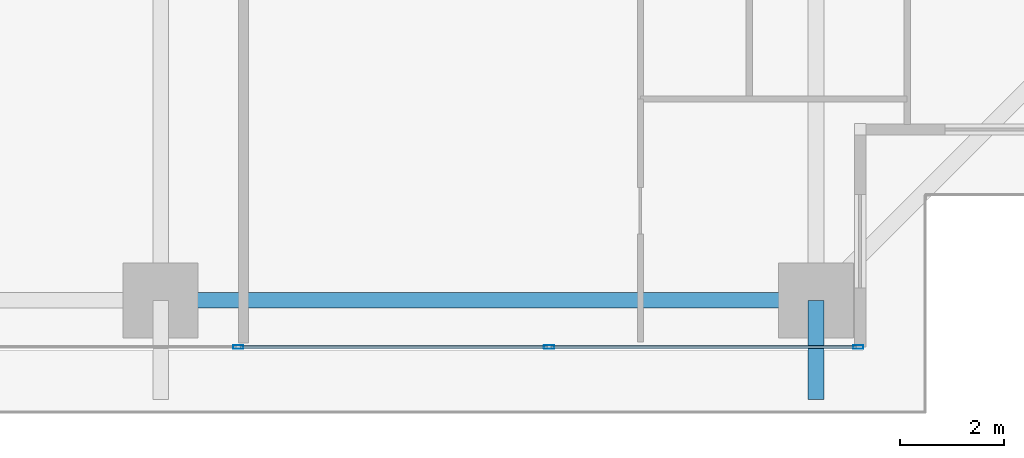
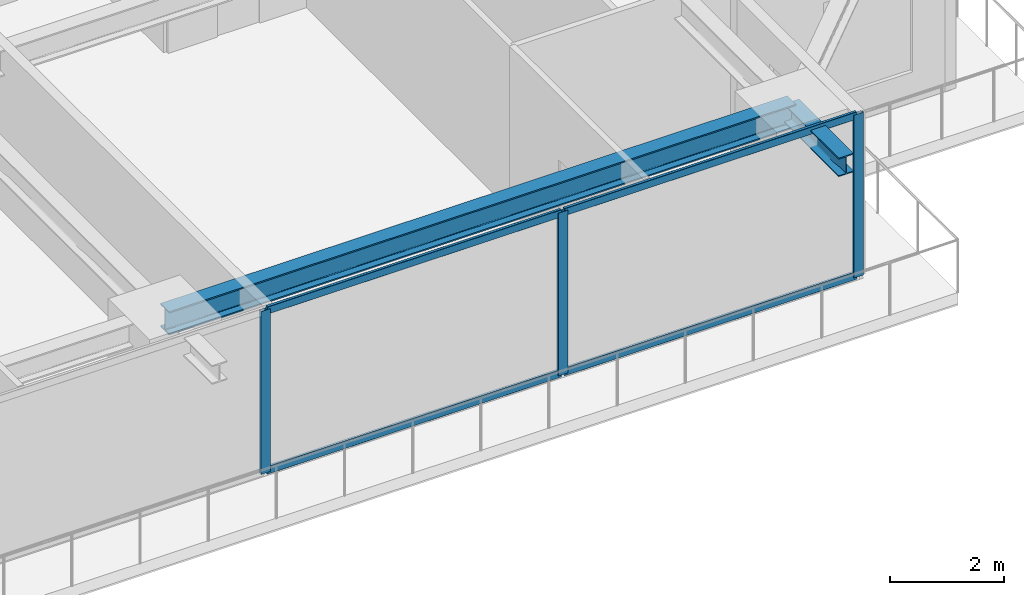
# One storey, part 10 of 38: 7 members, 2 beams, 1 element without a shape of its own.
"""IFC4 building model written with IfcOpenShell, lengths in metres."""

from ifc_helpers import new_model, si_unit, direction, frame, origin, origin_2d, place, context, subcontext, project, spatial, hollow_rectangle, i_section, extrude, source, transform, mapped, material, layer, layer_set, material_profile, profile_set, type_object, element, aggregate, save


model = new_model("IFC4")

# Units and contexts
model_context = context("Model", 3, precision=1e-05, world=origin(), true_north=direction((0.0, 1.0)))
body_context = subcontext(model_context, "Body", "Model", "MODEL_VIEW")
ifc_project = project(units=[si_unit("LENGTHUNIT", "METRE"), si_unit("AREAUNIT", "SQUARE_METRE"), si_unit("VOLUMEUNIT", "CUBIC_METRE"), si_unit("PLANEANGLEUNIT", "RADIAN"), si_unit("MASSUNIT", "GRAM", prefix="KILO")], contexts=[model_context])

# Site, building, storey
site_placement = place(None, origin())
site = spatial("IfcSite", under=ifc_project, at=site_placement, CompositionType="ELEMENT")
building_placement = place(site_placement, origin())
building = spatial("IfcBuilding", under=site, at=building_placement, Name="Serunith Strait Residences", CompositionType="ELEMENT")
storey_placement = place(building_placement, frame((0.0, 0.0, 37.949951171875)))
storey = spatial("IfcBuildingStorey", under=building, at=storey_placement, Name="L08", CompositionType="ELEMENT", Elevation=37.949951171875)

# Beams
ifc_material_1 = material(Name="Steel S355J2", Category="steel")
ifc_material_profile_1 = material_profile(ifc_material_1, i_section(OverallWidth=0.300048828125, OverallDepth=0.5, WebThickness=0.014404296875, FlangeThickness=0.028076171875, FilletRadius=0.027099609375, at=origin_2d()), Name="HEB 500")
ifc_profile_set_1 = profile_set([ifc_material_profile_1], Name="Steel S355J2")
beam_type_1 = type_object("IfcBeamType", Name="BM-HEB500", PredefinedType="BEAM", material=ifc_profile_set_1)
shared_shape_1 = source(origin(), body_context, "Body", "SweptSolid", [
    extrude(i_section(OverallWidth=0.300048828125, OverallDepth=0.5, WebThickness=0.014404296875, FlangeThickness=0.028076171875, FilletRadius=0.027099609375, at=origin_2d()), origin(), (0.0, 0.0, 1.0), 12.650146484375),
])
beam_1_placement = place(storey_placement, frame((36.89990234375, 1.10009765625, 3.237060546875), z_axis=(1.0, 0.0, 0.0), x_axis=(0.0, 1.0, 0.0)))
element("IfcBeam", 1, at=beam_1_placement, inside=storey, type_object=beam_type_1, Name="L08 Perimeter Ring Beam 03", PredefinedType="BEAM", context=body_context, shape_type="MappedRepresentation", body=[
    mapped(shared_shape_1, transform((0.0, 0.0, 0.0), scale=1.0)),
])
ifc_material_profile_2 = material_profile(ifc_material_1, i_section(OverallWidth=0.300048828125, OverallDepth=0.39990234375, WebThickness=0.013427734375, FlangeThickness=0.02392578125, FilletRadius=0.027099609375, at=origin_2d()), Name="HEB 400")
ifc_profile_set_2 = profile_set([ifc_material_profile_2], Name="Steel S355J2")
beam_type_2 = type_object("IfcBeamType", Name="BM-HEB400", PredefinedType="BEAM", material=ifc_profile_set_2)
shared_shape_2 = source(origin(), body_context, "Body", "SweptSolid", [
    extrude(i_section(OverallWidth=0.300048828125, OverallDepth=0.39990234375, WebThickness=0.013427734375, FlangeThickness=0.02392578125, FilletRadius=0.027099609375, at=origin_2d()), origin(), (0.0, 0.0, 1.0), 1.91015625),
])
beam_2_placement = place(storey_placement, frame((49.550048828125, 1.10009765625, 3.257080078125), z_axis=(0.0, -1.0, 0.0), x_axis=(1.0, 0.0, 0.0)))
element("IfcBeam", 2, at=beam_2_placement, inside=storey, type_object=beam_type_2, Name="L09 Cantilevered Balcony Rib TC-S4", PredefinedType="BEAM", context=body_context, shape_type="MappedRepresentation", body=[
    mapped(shared_shape_2, transform((0.0, 0.0, 0.0), scale=1.0)),
])

# Curtain wall, members
ifc_material_2 = material(Name="Pale-Champagne Anodised Aluminium", Category="aluminium")
ifc_layer = layer(ifc_material_2, 0.199951171875, Name="Pale-Champagne Anodised Aluminium")
ifc_layer_set = layer_set([ifc_layer], Name="Pale-Champagne Anodised Aluminium")
curtain_wall_type = type_object("IfcCurtainWallType", Name="CW-SYS1", PredefinedType="NOTDEFINED", material=ifc_layer_set)
curtain_wall_placement = place(storey_placement, origin())
curtain_wall = element("IfcCurtainWall", 3, at=curtain_wall_placement, inside=storey, type_object=curtain_wall_type, Name="L08 S Unitised Fritted Curtain Wall", PredefinedType="NOTDEFINED")
ifc_material_profile_3 = material_profile(ifc_material_2, hollow_rectangle(XDim=0.070068359375, YDim=0.199951171875, WallThickness=0.00390625, InnerFilletRadius=0.006103515625, OuterFilletRadius=0.010009765625, at=origin_2d()), Name="ALU 200x70x4")
ifc_profile_set_3 = profile_set([ifc_material_profile_3], Name="Pale-Champagne Anodised Aluminium")
member_type_1 = type_object("IfcMemberType", Name="CW-SYS1-MULL", PredefinedType="MULLION", material=ifc_profile_set_3)
shared_shape_3 = source(origin(), body_context, "Body", "SweptSolid", [
    extrude(hollow_rectangle(XDim=0.070068359375, YDim=0.199951171875, WallThickness=0.00390625, InnerFilletRadius=0.006103515625, OuterFilletRadius=0.010009765625, at=origin_2d()), origin(), (0.0, 0.0, 1.0), 3.47509765625),
])
member_1_placement = place(storey_placement, frame((38.39990234375, 0.199951171875, 0.0), z_axis=(0.0, 0.0, 1.0), x_axis=(0.0, 1.0, 0.0)))
member_1 = element("IfcMember", 4, at=member_1_placement, type_object=member_type_1, Name="CW-1 mullion 5", PredefinedType="MULLION", context=body_context, shape_type="MappedRepresentation", body=[
    mapped(shared_shape_3, transform((0.0, 0.0, 0.0), scale=1.0)),
])
member_2_placement = place(storey_placement, frame((44.39990234375, 0.199951171875, 0.0), z_axis=(0.0, 0.0, 1.0), x_axis=(0.0, 1.0, 0.0)))
member_2 = element("IfcMember", 5, at=member_2_placement, type_object=member_type_1, Name="CW-1 mullion 6", PredefinedType="MULLION", context=body_context, shape_type="MappedRepresentation", body=[
    mapped(shared_shape_3, transform((0.0, 0.0, 0.0), scale=1.0)),
])
member_3_placement = place(storey_placement, frame((50.364990234375, 0.199951171875, 0.0), z_axis=(0.0, 0.0, 1.0), x_axis=(0.0, 1.0, 0.0)))
member_3 = element("IfcMember", 6, at=member_3_placement, type_object=member_type_1, Name="CW-1 mullion 7", PredefinedType="MULLION", context=body_context, shape_type="MappedRepresentation", body=[
    mapped(shared_shape_3, transform((0.0, 0.0, 0.0), scale=1.0)),
])
ifc_material_profile_4 = material_profile(ifc_material_2, hollow_rectangle(XDim=0.06005859375, YDim=0.159912109375, WallThickness=0.00341796875, InnerFilletRadius=0.00537109375, OuterFilletRadius=0.0087890625, at=origin_2d()), Name="ALU 160x60x3.5")
ifc_profile_set_4 = profile_set([ifc_material_profile_4], Name="Pale-Champagne Anodised Aluminium")
member_type_2 = type_object("IfcMemberType", Name="CW-SYS1-TRAN", PredefinedType="USERDEFINED", material=ifc_profile_set_4)
shared_shape_4 = source(origin(), body_context, "Body", "SweptSolid", [
    extrude(hollow_rectangle(XDim=0.06005859375, YDim=0.159912109375, WallThickness=0.00341796875, InnerFilletRadius=0.00537109375, OuterFilletRadius=0.0087890625, at=origin_2d()), origin(), (0.0, 0.0, 1.0), 5.89501953125),
])
member_4_placement = place(storey_placement, frame((44.43505859375, 0.199951171875, 0.030029296875), z_axis=(1.0, 0.0, 0.0), x_axis=(0.0, 1.0, 0.0)))
member_4 = element("IfcMember", 7, at=member_4_placement, type_object=member_type_2, Name="CW-1 transom 6.1", ObjectType="TRANSOM", PredefinedType="USERDEFINED", context=body_context, shape_type="MappedRepresentation", body=[
    mapped(shared_shape_4, transform((0.0, 0.0, 0.0), scale=1.0)),
])
member_5_placement = place(storey_placement, frame((44.43505859375, 0.199951171875, 3.445068359375), z_axis=(1.0, 0.0, 0.0), x_axis=(0.0, 1.0, 0.0)))
member_5 = element("IfcMember", 8, at=member_5_placement, type_object=member_type_2, Name="CW-1 transom 6.2", ObjectType="TRANSOM", PredefinedType="USERDEFINED", context=body_context, shape_type="MappedRepresentation", body=[
    mapped(shared_shape_4, transform((0.0, 0.0, 0.0), scale=1.0)),
])
shared_shape_5 = source(origin(), body_context, "Body", "SweptSolid", [
    extrude(hollow_rectangle(XDim=0.06005859375, YDim=0.159912109375, WallThickness=0.00341796875, InnerFilletRadius=0.00537109375, OuterFilletRadius=0.0087890625, at=origin_2d()), origin(), (0.0, 0.0, 1.0), 5.929931640625),
])
member_6_placement = place(storey_placement, frame((38.43505859375, 0.199951171875, 0.030029296875), z_axis=(1.0, 0.0, 0.0), x_axis=(0.0, 1.0, 0.0)))
member_6 = element("IfcMember", 9, at=member_6_placement, type_object=member_type_2, Name="CW-1 transom 5.1", ObjectType="TRANSOM", PredefinedType="USERDEFINED", context=body_context, shape_type="MappedRepresentation", body=[
    mapped(shared_shape_5, transform((0.0, 0.0, 0.0), scale=1.0)),
])
member_7_placement = place(storey_placement, frame((38.43505859375, 0.199951171875, 3.445068359375), z_axis=(1.0, 0.0, 0.0), x_axis=(0.0, 1.0, 0.0)))
member_7 = element("IfcMember", 10, at=member_7_placement, type_object=member_type_2, Name="CW-1 transom 5.2", ObjectType="TRANSOM", PredefinedType="USERDEFINED", context=body_context, shape_type="MappedRepresentation", body=[
    mapped(shared_shape_5, transform((0.0, 0.0, 0.0), scale=1.0)),
])
aggregate(curtain_wall, [member_1, member_2, member_3, member_6, member_7, member_4, member_5])

save(model, "model.ifc")
